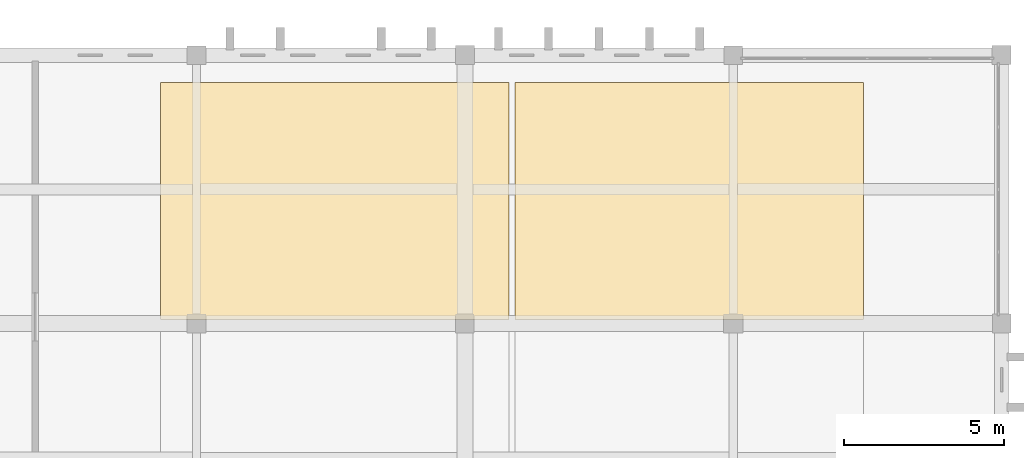
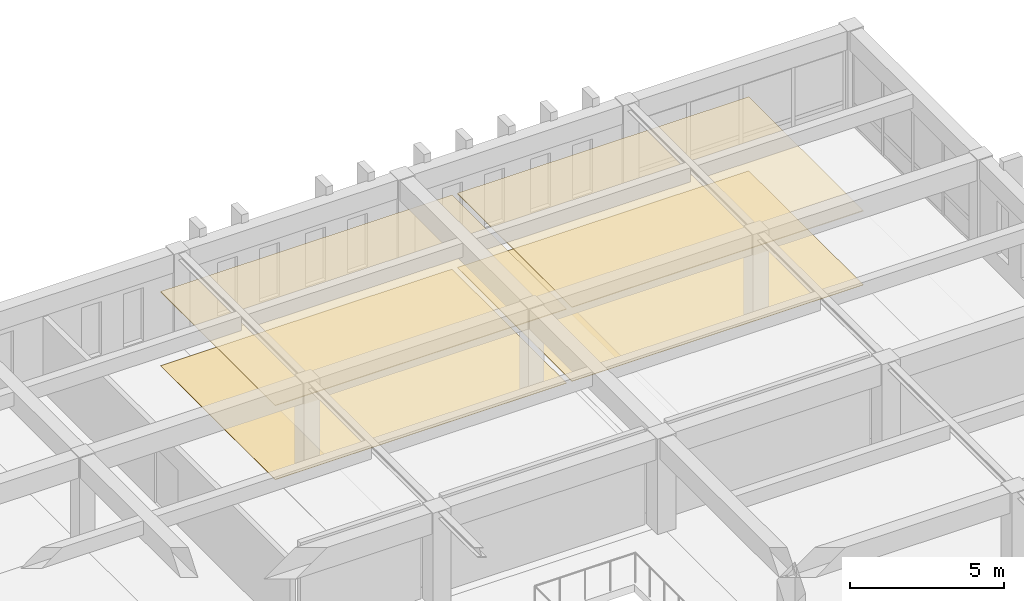
# One storey, part 110 of 110: 4 coverings.
"""IFC4 building model written with IfcOpenShell, lengths in metres."""

from ifc_helpers import new_model, si_unit, direction, frame, origin, origin_2d, place, context, subcontext, project, spatial, rectangle, extrude, material, layer, layer_set, type_object, element, save


model = new_model("IFC4")

# Units and contexts
model_context = context("Model", 3, precision=1e-05, world=origin(), true_north=direction((0.0, 1.0)))
body_context = subcontext(model_context, "Body", "Model", "MODEL_VIEW")
ifc_project = project(units=[si_unit("LENGTHUNIT", "METRE"), si_unit("AREAUNIT", "SQUARE_METRE"), si_unit("VOLUMEUNIT", "CUBIC_METRE"), si_unit("PLANEANGLEUNIT", "RADIAN"), si_unit("MASSUNIT", "GRAM", prefix="KILO")], contexts=[model_context])

# Site, building, storey
site_placement = place(None, origin())
site = spatial("IfcSite", under=ifc_project, at=site_placement, CompositionType="ELEMENT")
building_placement = place(site_placement, origin())
building = spatial("IfcBuilding", under=site, at=building_placement, Name="Kveldsbrygga Polytechnic", CompositionType="ELEMENT")
storey_placement = place(building_placement, frame((0.0, 0.0, 9.860107421875)))
storey = spatial("IfcBuildingStorey", under=building, at=storey_placement, Name="L02", CompositionType="ELEMENT", Elevation=9.860107421875)

# Coverings
ifc_material_1 = material(Name="Acoustic mineral baffle ceiling")
ifc_layer_1 = layer(ifc_material_1, 0.030029296875)
ifc_layer_set_1 = layer_set([ifc_layer_1], Name="Acoustic mineral baffle ceiling")
covering_type_1 = type_object("IfcCoveringType", Name="COV-CEIL-AC30", PredefinedType="CEILING", material=ifc_layer_set_1)
for number, where, z_axis, x_axis, name in (
    (1, (147.125, 113.03759765625, 2.919921875), (0.0, 0.0, 1.0), (1.0, 0.0, 0.0), "Acoustic Ceiling SP-L02-LAB22-WN"),
    (2, (158.22509765625, 113.03759765625, 2.919921875), (0.0, 0.0, 1.0), (1.0, 0.0, 0.0), "Acoustic Ceiling SP-L02-LAB22-EN"),
):
    element("IfcCovering", number, at=place(storey_placement, frame(where, z_axis=z_axis, x_axis=x_axis)), inside=storey, type_object=covering_type_1, Name=name, PredefinedType="CEILING", context=body_context, shape_type="SweptSolid", body=[
        extrude(rectangle(XDim=10.89990234375, YDim=7.425048828125, at=origin_2d()), origin(), (0.0, 0.0, 1.0), 0.030029296875),
    ])
ifc_material_2 = material(Name="Heavy-duty quartz-filled epoxy resin flooring")
ifc_layer_2 = layer(ifc_material_2, 0.014892578125)
ifc_layer_set_2 = layer_set([ifc_layer_2], Name="Heavy-duty quartz-filled epoxy resin flooring")
covering_type_2 = type_object("IfcCoveringType", Name="COV-FLR-EPX15", PredefinedType="FLOORING", material=ifc_layer_set_2)
for number, where, z_axis, x_axis, name in (
    (3, (147.125, 113.03759765625, 0.0), (0.0, 0.0, 1.0), (1.0, 0.0, 0.0), "Room Flooring SP-L02-LAB22-WN"),
    (4, (158.22509765625, 113.03759765625, 0.0), (0.0, 0.0, 1.0), (1.0, 0.0, 0.0), "Room Flooring SP-L02-LAB22-EN"),
):
    element("IfcCovering", number, at=place(storey_placement, frame(where, z_axis=z_axis, x_axis=x_axis)), inside=storey, type_object=covering_type_2, Name=name, PredefinedType="FLOORING", context=body_context, shape_type="SweptSolid", body=[
        extrude(rectangle(XDim=10.89990234375, YDim=7.425048828125, at=origin_2d()), origin(), (0.0, 0.0, 1.0), 0.014892578125),
    ])

save(model, "model.ifc")
